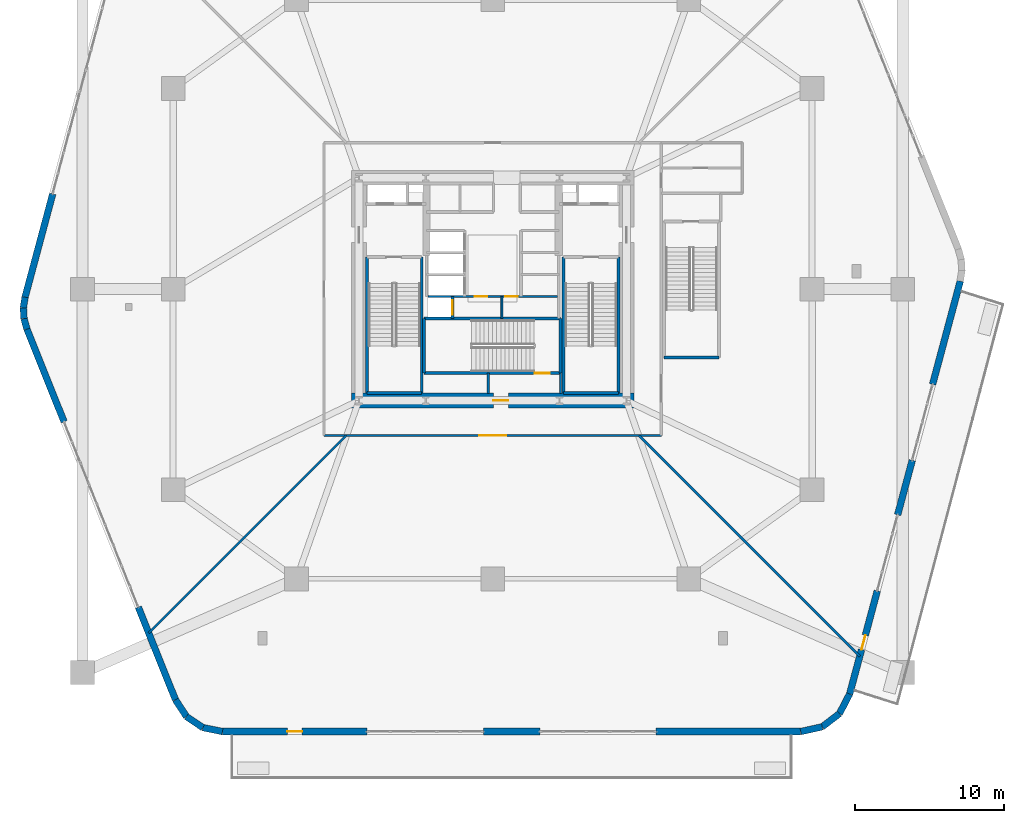
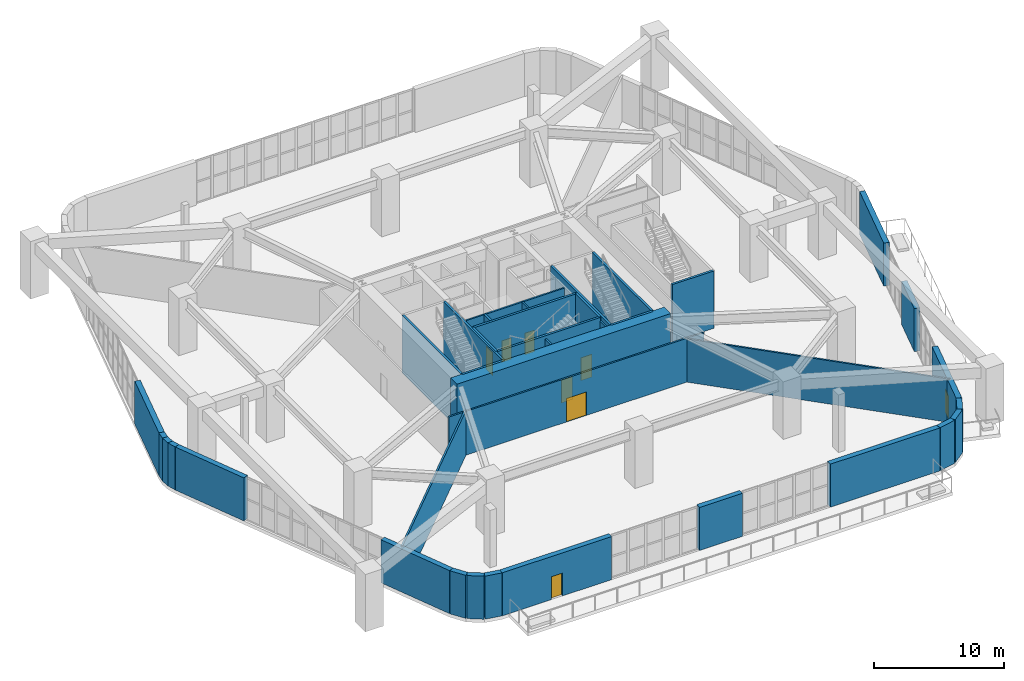
# One storey, part 27 of 34: 38 walls, 8 doors, 8 openings.
"""IFC4 building model written with IfcOpenShell, lengths in metres."""

from ifc_helpers import new_model, si_unit, direction, frame, frame_2d, origin, place, context, subcontext, project, spatial, rectangle, extrude, material, layer, layer_set, type_object, element, fill, save


model = new_model("IFC4")

# Units and contexts
model_context = context("Model", 3, precision=1e-05, world=origin(), true_north=direction((0.0, 1.0)))
body_context = subcontext(model_context, "Body", "Model", "MODEL_VIEW")
ifc_project = project(units=[si_unit("LENGTHUNIT", "METRE"), si_unit("AREAUNIT", "SQUARE_METRE"), si_unit("VOLUMEUNIT", "CUBIC_METRE"), si_unit("PLANEANGLEUNIT", "RADIAN"), si_unit("MASSUNIT", "GRAM", prefix="KILO")], contexts=[model_context])

# Site, building, storey
site_placement = place(None, origin())
site = spatial("IfcSite", under=ifc_project, at=site_placement, CompositionType="ELEMENT")
building_placement = place(site_placement, origin())
building = spatial("IfcBuilding", under=site, at=building_placement, Name="Kilnhurst Terrace Hotel", CompositionType="ELEMENT")
storey_placement = place(building_placement, frame((0.0, 0.0, 6.0)))
storey = spatial("IfcBuildingStorey", under=building, at=storey_placement, Name="L01", CompositionType="ELEMENT", Elevation=6.0)

# Walls
ifc_material_1 = material(Name="Precast concrete C40/50", Category="concrete")
ifc_layer_1 = layer(ifc_material_1, 0.449951171875, Name="Precast concrete C40/50")
ifc_layer_set_1 = layer_set([ifc_layer_1], Name="Precast concrete C40/50")
wall_type_1 = type_object("IfcWallType", Name="WL-BRK-450", PredefinedType="SOLIDWALL", material=ifc_layer_set_1)
wall_1_placement = place(storey_placement, frame((-21.345458984375, -27.634521484375, 0.0), z_axis=(0.0, 0.0, 1.0), x_axis=(0.547463611757, -0.836829489085, 0.0)))
element("IfcWall", 1, at=wall_1_placement, inside=storey, type_object=wall_type_1, Name="L01 Rounded Corner Brick Wall C1.1", PredefinedType="SOLIDWALL", context=body_context, shape_type="SweptSolid", body=[
    extrude(rectangle(XDim=1.350830078125, YDim=0.449951171875, at=frame_2d((0.67529296875, 0.0))), origin(), (0.0, 0.0, 1.0), 4.050048828125),
])
wall_2_placement = place(storey_placement, frame((-20.60595703125, -28.764892578125, 0.0), z_axis=(0.0, 0.0, 1.0), x_axis=(0.82832607687, -0.560246294389, 0.0)))
element("IfcWall", 2, at=wall_2_placement, inside=storey, type_object=wall_type_1, Name="L01 Rounded Corner Brick Wall C1.2", PredefinedType="SOLIDWALL", context=body_context, shape_type="SweptSolid", body=[
    extrude(rectangle(XDim=1.327880859375, YDim=0.449951171875, at=frame_2d((0.6640625, 0.0))), origin(), (0.0, 0.0, 1.0), 4.050048828125),
])
wall_3_placement = place(storey_placement, frame((-19.506103515625, -29.5087890625, 0.0), z_axis=(0.0, 0.0, 1.0), x_axis=(0.98039950709, -0.19701981245, 0.0)))
element("IfcWall", 3, at=wall_3_placement, inside=storey, type_object=wall_type_1, Name="L01 Rounded Corner Brick Wall C1.3", PredefinedType="SOLIDWALL", context=body_context, shape_type="SweptSolid", body=[
    extrude(rectangle(XDim=1.3505859375, YDim=0.449951171875, at=frame_2d((0.67529296875, 0.0))), origin(), (0.0, 0.0, 1.0), 4.050048828125),
])
wall_4_placement = place(storey_placement, frame((20.73291015625, -29.77490234375, 0.0), z_axis=(0.0, 0.0, 1.0), x_axis=(0.976314642779, 0.21635553678, 0.0)))
element("IfcWall", 4, at=wall_4_placement, inside=storey, type_object=wall_type_1, Name="L01 Rounded Corner Brick Wall C2.1", PredefinedType="SOLIDWALL", context=body_context, shape_type="SweptSolid", body=[
    extrude(rectangle(XDim=1.48388671875, YDim=0.449951171875, at=frame_2d((0.741943359375, 0.0))), origin(), (0.0, 0.0, 1.0), 4.050048828125),
])
wall_5_placement = place(storey_placement, frame((22.181640625, -29.453857421875, 0.0), z_axis=(0.0, 0.0, 1.0), x_axis=(0.793363842704, 0.608747741754, 0.0)))
element("IfcWall", 5, at=wall_5_placement, inside=storey, type_object=wall_type_1, Name="L01 Rounded Corner Brick Wall C2.2", PredefinedType="SOLIDWALL", context=body_context, shape_type="SweptSolid", body=[
    extrude(rectangle(XDim=1.458740234375, YDim=0.449951171875, at=frame_2d((0.7294921875, 0.0))), origin(), (0.0, 0.0, 1.0), 4.050048828125),
])
wall_6_placement = place(storey_placement, frame((23.3388671875, -28.56591796875, 0.0), z_axis=(0.0, 0.0, 1.0), x_axis=(0.461699810705, 0.887036236461, 0.0)))
element("IfcWall", 6, at=wall_6_placement, inside=storey, type_object=wall_type_1, Name="L01 Rounded Corner Brick Wall C2.3", PredefinedType="SOLIDWALL", context=body_context, shape_type="SweptSolid", body=[
    extrude(rectangle(XDim=1.48388671875, YDim=0.449951171875, at=frame_2d((0.741943359375, 0.0))), origin(), (0.0, 0.0, 1.0), 4.050048828125),
])
wall_7_placement = place(storey_placement, frame((-31.46923828125, -0.538818359375, 0.0), z_axis=(0.0, 0.0, 1.0), x_axis=(-0.154082468729, -0.988057990621, 0.0)))
element("IfcWall", 7, at=wall_7_placement, inside=storey, type_object=wall_type_1, Name="L01 Rounded Corner Brick Wall C6.1", PredefinedType="SOLIDWALL", context=body_context, shape_type="SweptSolid", body=[
    extrude(rectangle(XDim=0.733642578125, YDim=0.449951171875, at=frame_2d((0.36669921875, 0.0))), origin(), (0.0, 0.0, 1.0), 4.050048828125),
])
wall_8_placement = place(storey_placement, frame((-31.582275390625, -1.263671875, 0.0), z_axis=(0.0, 0.0, 1.0), x_axis=(0.059555119752, -0.998225018576, 0.0)))
element("IfcWall", 8, at=wall_8_placement, inside=storey, type_object=wall_type_1, Name="L01 Rounded Corner Brick Wall C6.2", PredefinedType="SOLIDWALL", context=body_context, shape_type="SweptSolid", body=[
    extrude(rectangle(XDim=0.721435546875, YDim=0.449951171875, at=frame_2d((0.36083984375, 0.0))), origin(), (0.0, 0.0, 1.0), 4.050048828125),
])
wall_9_placement = place(storey_placement, frame((-31.539306640625, -1.98388671875, 0.0), z_axis=(0.0, 0.0, 1.0), x_axis=(0.270543197703, -0.962707836354, 0.0)))
element("IfcWall", 9, at=wall_9_placement, inside=storey, type_object=wall_type_1, Name="L01 Rounded Corner Brick Wall C6.3", PredefinedType="SOLIDWALL", context=body_context, shape_type="SweptSolid", body=[
    extrude(rectangle(XDim=0.733642578125, YDim=0.449951171875, at=frame_2d((0.36669921875, 0.0))), origin(), (0.0, 0.0, 1.0), 4.050048828125),
])

# Wall, opening, door
wall_10_placement = place(storey_placement, frame((-18.181884765625, -29.77490234375, 0.0), z_axis=(0.0, 0.0, 1.0), x_axis=(1.0, 0.0, 0.0)))
wall_10 = element("IfcWall", 10, at=wall_10_placement, inside=storey, type_object=wall_type_1, Name="L01 Face 1 Brick Pier 1", PredefinedType="SOLIDWALL", context=body_context, shape_type="SweptSolid", body=[
    extrude(rectangle(XDim=9.72900390625, YDim=0.449951171875, at=frame_2d((4.864501953125, 0.0))), origin(), (0.0, 0.0, 1.0), 4.050048828125),
])
opening_1_placement = place(wall_10_placement, frame((4.364013671875, 0.0, 0.0)))
opening_1 = element("IfcOpeningElement", 11, at=opening_1_placement, cuts=wall_10, Name="Opening BD-1000", PredefinedType="OPENING", context=body_context, shape_type="SweptSolid", body=[
    extrude(rectangle(XDim=1.0, YDim=2.14990234375, at=frame_2d((0.5, 1.074951171875))), frame((0.0, 0.23486328125, 0.0), z_axis=(0.0, -1.0, 0.0), x_axis=(1.0, 0.0, 0.0)), (0.0, 0.0, 1.0), 0.469970703125),
])
ifc_material_2 = material(Name="Thermally Broken Bronze Aluminium Alloy 6063-T6 and Laminated Glass", Category="aluminium")
door_type_1 = type_object("IfcDoorType", Name="DR-EXT-BAL-1000", OperationType="NOTDEFINED", PredefinedType="DOOR", material=ifc_material_2)
door_1_placement = place(opening_1_placement, origin())
door_1 = element("IfcDoor", 12, at=door_1_placement, inside=storey, type_object=door_type_1, Name="L01 Terrace Access Door TERR-1", OperationType="SINGLE_SWING_LEFT", OverallHeight=2.14990234375, OverallWidth=1.0, PredefinedType="DOOR", context=body_context, shape_type="SweptSolid", body=[
    extrude(rectangle(XDim=1.0, YDim=2.14990234375, at=frame_2d((0.5, 1.074951171875))), frame((0.0, 0.02490234375, 0.0), z_axis=(0.0, -1.0, 0.0), x_axis=(1.0, 0.0, 0.0)), (0.0, 0.0, 1.0), 0.050048828125),
])
fill(opening_1, door_1)

# Walls
wall_11_placement = place(storey_placement, frame((-0.623779296875, -29.77490234375, 0.0), z_axis=(0.0, 0.0, 1.0), x_axis=(1.0, 0.0, 0.0)))
element("IfcWall", 13, at=wall_11_placement, inside=storey, type_object=wall_type_1, Name="L01 Face 1 Brick Pier 2", PredefinedType="SOLIDWALL", context=body_context, shape_type="SweptSolid", body=[
    extrude(rectangle(XDim=3.798828125, YDim=0.449951171875, at=frame_2d((1.8994140625, 0.0))), origin(), (0.0, 0.0, 1.0), 4.050048828125),
])
wall_12_placement = place(storey_placement, frame((11.004150390625, -29.77490234375, 0.0), z_axis=(0.0, 0.0, 1.0), x_axis=(1.0, 0.0, 0.0)))
element("IfcWall", 14, at=wall_12_placement, inside=storey, type_object=wall_type_1, Name="L01 Face 1 End Brick Pier", PredefinedType="SOLIDWALL", context=body_context, shape_type="SweptSolid", body=[
    extrude(rectangle(XDim=9.728759765625, YDim=0.449951171875, at=frame_2d((4.8642578125, 0.0))), origin(), (0.0, 0.0, 1.0), 4.050048828125),
])

# Wall, opening, door
wall_13_placement = place(storey_placement, frame((24.02392578125, -27.249755859375, 0.0), z_axis=(0.0, 0.0, 1.0), x_axis=(0.25880339056, 0.965930020775, 0.0)))
wall_13 = element("IfcWall", 15, at=wall_13_placement, inside=storey, type_object=wall_type_1, Name="L01 Face 2 Brick Pier 1", PredefinedType="SOLIDWALL", context=body_context, shape_type="SweptSolid", body=[
    extrude(rectangle(XDim=7.192138671875, YDim=0.449951171875, at=frame_2d((3.59619140625, 0.0))), origin(), (0.0, 0.0, 1.0), 4.050048828125),
])
opening_2_placement = place(wall_13_placement, frame((3.095947265625, 0.0, 0.0)))
opening_2 = element("IfcOpeningElement", 16, at=opening_2_placement, cuts=wall_13, Name="Opening BD-1000", PredefinedType="OPENING", context=body_context, shape_type="SweptSolid", body=[
    extrude(rectangle(XDim=1.0, YDim=2.14990234375, at=frame_2d((0.5, 1.074951171875))), frame((0.0, 0.23486328125, 0.0), z_axis=(0.0, -1.0, 0.0), x_axis=(1.0, 0.0, 0.0)), (0.0, 0.0, 1.0), 0.469970703125),
])
door_2_placement = place(opening_2_placement, origin())
door_2 = element("IfcDoor", 17, at=door_2_placement, inside=storey, type_object=door_type_1, Name="L01 Terrace Access Door TERR-2", OperationType="SINGLE_SWING_LEFT", OverallHeight=2.14990234375, OverallWidth=1.0, PredefinedType="DOOR", context=body_context, shape_type="SweptSolid", body=[
    extrude(rectangle(XDim=1.0, YDim=2.14990234375, at=frame_2d((0.5, 1.074951171875))), frame((0.0, 0.02490234375, 0.0), z_axis=(0.0, -1.0, 0.0), x_axis=(1.0, 0.0, 0.0)), (0.0, 0.0, 1.0), 0.050048828125),
])
fill(opening_2, door_2)

# Walls
wall_14_placement = place(storey_placement, frame((27.2548828125, -15.19091796875, 0.0), z_axis=(0.0, 0.0, 1.0), x_axis=(0.258798174346, 0.96593141835, 0.0)))
element("IfcWall", 18, at=wall_14_placement, inside=storey, type_object=wall_type_1, Name="L01 Face 2 Brick Pier 2", PredefinedType="SOLIDWALL", context=body_context, shape_type="SweptSolid", body=[
    extrude(rectangle(XDim=3.7998046875, YDim=0.449951171875, at=frame_2d((1.89990234375, 0.0))), origin(), (0.0, 0.0, 1.0), 4.050048828125),
])
for number, where, z_axis, x_axis, name in (
    (19, (29.60791015625, -6.40869140625, 0.0), (0.0, 0.0, 1.0), (0.258786419646, 0.965934567663, 0.0), "L01 Face 2 End Brick Pier"),
    (20, (-29.60791015625, 6.40869140625, 0.0), (0.0, 0.0, 1.0), (-0.258786419646, -0.965934567663, 0.0), "L01 Face 5 End Brick Pier"),
):
    element("IfcWall", number, at=place(storey_placement, frame(where, z_axis=z_axis, x_axis=x_axis)), inside=storey, type_object=wall_type_1, Name=name, PredefinedType="SOLIDWALL", context=body_context, shape_type="SweptSolid", body=[
        extrude(rectangle(XDim=7.192626953125, YDim=0.449951171875, at=frame_2d((3.59619140625, 0.0))), origin(), (0.0, 0.0, 1.0), 4.050048828125),
    ])
wall_15_placement = place(storey_placement, frame((-31.3408203125, -2.690185546875, 0.0), z_axis=(0.0, 0.0, 1.0), x_axis=(0.371948252928, -0.928253466002, 0.0)))
element("IfcWall", 21, at=wall_15_placement, inside=storey, type_object=wall_type_1, Name="L01 Face 6 Brick Pier 1", PredefinedType="SOLIDWALL", context=body_context, shape_type="SweptSolid", body=[
    extrude(rectangle(XDim=6.718017578125, YDim=0.449951171875, at=frame_2d((3.35888671875, 0.0))), origin(), (0.0, 0.0, 1.0), 4.050048828125),
])
wall_16_placement = place(storey_placement, frame((-23.844482421875, -21.398193359375, 0.0), z_axis=(0.0, 0.0, 1.0), x_axis=(0.37196701808, -0.928245946644, 0.0)))
element("IfcWall", 22, at=wall_16_placement, inside=storey, type_object=wall_type_1, Name="L01 Face 6 End Brick Pier", PredefinedType="SOLIDWALL", context=body_context, shape_type="SweptSolid", body=[
    extrude(rectangle(XDim=6.718505859375, YDim=0.449951171875, at=frame_2d((3.359375, 0.0))), origin(), (0.0, 0.0, 1.0), 4.050048828125),
])

# Wall, opening, door
ifc_material_3 = material(Name="Acoustic Double-Gypsum Corridor Partition Assembly")
ifc_layer_2 = layer(ifc_material_3, 0.14990234375, Name="Acoustic Double-Gypsum Corridor Partition Assembly")
ifc_layer_set_2 = layer_set([ifc_layer_2], Name="Acoustic Double-Gypsum Corridor Partition Assembly")
wall_type_2 = type_object("IfcWallType", Name="WL-COR-150", PredefinedType="PARTITIONING", material=ifc_layer_set_2)
wall_17_placement = place(storey_placement, frame((11.35009765625, -9.85009765625, 0.0), z_axis=(0.0, 0.0, 1.0), x_axis=(-1.0, 0.0, 0.0)))
wall_17 = element("IfcWall", 23, at=wall_17_placement, inside=storey, type_object=wall_type_2, Name="L01 Interior Wall WL-L01-COR-04", PredefinedType="PARTITIONING", context=body_context, shape_type="SweptSolid", body=[
    extrude(rectangle(XDim=22.7001953125, YDim=0.14990234375, at=frame_2d((11.35009765625, 0.0))), origin(), (0.0, 0.0, 1.0), 4.121826171875),
])
opening_3_placement = place(wall_17_placement, frame((10.449951171875, 0.0, 0.0)))
opening_3 = element("IfcOpeningElement", 24, at=opening_3_placement, cuts=wall_17, Name="Opening D-18A", PredefinedType="OPENING", context=body_context, shape_type="SweptSolid", body=[
    extrude(rectangle(XDim=1.800048828125, YDim=2.199951171875, at=frame_2d((0.89990234375, 1.10009765625))), frame((0.0, 0.0849609375, 0.0), z_axis=(0.0, -1.0, 0.0), x_axis=(1.0, 0.0, 0.0)), (0.0, 0.0, 1.0), 0.169921875),
])
ifc_material_4 = material(Name="Bronze-Framed Acoustic Glazed Double Hospitality Door")
door_type_2 = type_object("IfcDoorType", Name="DR-INT-1800", OperationType="NOTDEFINED", PredefinedType="DOOR", material=ifc_material_4)
door_3_placement = place(opening_3_placement, origin())
door_3 = element("IfcDoor", 25, at=door_3_placement, inside=storey, type_object=door_type_2, Name="L01 All Day Brasserie Dining Hall Door", OperationType="DOUBLE_SWING_LEFT", OverallHeight=2.199951171875, OverallWidth=1.800048828125, PredefinedType="DOOR", context=body_context, shape_type="SweptSolid", body=[
    extrude(rectangle(XDim=1.800048828125, YDim=2.199951171875, at=frame_2d((0.89990234375, 1.10009765625))), frame((0.0, 0.02490234375, 0.0), z_axis=(0.0, -1.0, 0.0), x_axis=(1.0, 0.0, 0.0)), (0.0, 0.0, 1.0), 0.050048828125),
])
fill(opening_3, door_3)

ifc_material_5 = material(Name="Concrete C80/95", Category="concrete")
ifc_layer_3 = layer(ifc_material_5, 1.0, Name="Concrete C80/95")
ifc_layer_set_3 = layer_set([ifc_layer_3], Name="Concrete C80/95")
wall_type_3 = type_object("IfcWallType", Name="WL-CORE-1000", PredefinedType="SHEAR", material=ifc_layer_set_3)
wall_18_placement = place(storey_placement, frame((-9.5, -7.5, 0.0), z_axis=(0.0, 0.0, 1.0), x_axis=(1.0, 0.0, 0.0)))
wall_18 = element("IfcWall", 26, at=wall_18_placement, inside=storey, type_object=wall_type_3, Name="L01 Core South Shear Wall", PredefinedType="SHEAR", context=body_context, shape_type="SweptSolid", body=[
    extrude(rectangle(XDim=19.0, YDim=1.0, at=frame_2d((9.5, 0.0))), origin(), (0.0, 0.0, 1.0), 5.39990234375),
])
opening_4_placement = place(wall_18_placement, frame((9.550048828125, 0.0, 0.0)))
opening_4 = element("IfcOpeningElement", 27, at=opening_4_placement, cuts=wall_18, Name="Opening D-90B", PredefinedType="OPENING", context=body_context, shape_type="SweptSolid", body=[
    extrude(rectangle(XDim=1.0, YDim=2.14990234375, at=frame_2d((0.5, 1.074951171875))), frame((0.0, 0.510009765625, 0.0), z_axis=(0.0, -1.0, 0.0), x_axis=(1.0, 0.0, 0.0)), (0.0, 0.0, 1.0), 1.02001953125),
])
ifc_material_6 = material(Name="Painted Hollow Metal Steel ASTM A36 Fire Door", Category="steel")
door_type_3 = type_object("IfcDoorType", Name="DR-FD90-1000", OperationType="NOTDEFINED", PredefinedType="DOOR", material=ifc_material_6)
door_4_placement = place(opening_4_placement, origin())
door_4 = element("IfcDoor", 28, at=door_4_placement, inside=storey, type_object=door_type_3, Name="L01 Stair ST-3 Corridor Door", OperationType="SINGLE_SWING_RIGHT", OverallHeight=2.14990234375, OverallWidth=1.0, PredefinedType="DOOR", context=body_context, shape_type="SweptSolid", body=[
    extrude(rectangle(XDim=1.0, YDim=2.14990234375, at=frame_2d((0.5, 1.074951171875))), frame((0.0, 0.02490234375, 0.0), z_axis=(0.0, -1.0, 0.0), x_axis=(1.0, 0.0, 0.0)), (0.0, 0.0, 1.0), 0.050048828125),
])
fill(opening_4, door_4)

# Walls
ifc_material_7 = material(Name="120 mm Moisture-Resistant Tile-Backed Bathroom Partition")
ifc_layer_4 = layer(ifc_material_7, 0.1201171875, Name="120 mm Moisture-Resistant Tile-Backed Bathroom Partition")
ifc_layer_set_4 = layer_set([ifc_layer_4], Name="120 mm Moisture-Resistant Tile-Backed Bathroom Partition")
wall_type_4 = type_object("IfcWallType", Name="WL-PART-120", PredefinedType="PARTITIONING", material=ifc_layer_set_4)
wall_19_placement = place(storey_placement, frame((0.6201171875, -1.971923828125, 0.0), z_axis=(0.0, 0.0, 1.0), x_axis=(0.0, 1.0, 0.0)))
element("IfcWall", 29, at=wall_19_placement, inside=storey, type_object=wall_type_4, Name="L01 Interior Wall WL-L01-BOH-C1", PredefinedType="PARTITIONING", context=body_context, shape_type="SweptSolid", body=[
    extrude(rectangle(XDim=1.471923828125, YDim=0.1201171875, at=frame_2d((0.73583984375, 0.0))), origin(), (0.0, 0.0, 1.0), 5.080078125),
])
ifc_material_8 = material(Name="150 mm Acoustic Gypsum Hospitality Partition")
ifc_layer_5 = layer(ifc_material_8, 0.14990234375, Name="150 mm Acoustic Gypsum Hospitality Partition")
ifc_layer_set_5 = layer_set([ifc_layer_5], Name="150 mm Acoustic Gypsum Hospitality Partition")
wall_type_5 = type_object("IfcWallType", Name="WL-PART-150", PredefinedType="PARTITIONING", material=ifc_layer_set_5)
wall_20_placement = place(storey_placement, frame((-9.85009765625, -9.85009765625, 0.0), z_axis=(0.0, 0.0, 1.0), x_axis=(-0.707106781187, -0.707106781187, 0.0)))
element("IfcWall", 30, at=wall_20_placement, inside=storey, type_object=wall_type_5, Name="L01 Interior Wall WL-L01-PDIV-1-1", PredefinedType="PARTITIONING", context=body_context, shape_type="SweptSolid", body=[
    extrude(rectangle(XDim=18.80126953125, YDim=0.14990234375, at=frame_2d((9.400634765625, 0.0))), origin(), (0.0, 0.0, 1.0), 4.214111328125),
])
wall_21_placement = place(storey_placement, frame((9.85009765625, -9.85009765625, 0.0), z_axis=(0.0, 0.0, 1.0), x_axis=(0.707106781187, -0.707106781187, 0.0)))
element("IfcWall", 31, at=wall_21_placement, inside=storey, type_object=wall_type_5, Name="L01 Interior Wall WL-L01-PDIV-2-1", PredefinedType="PARTITIONING", context=body_context, shape_type="SweptSolid", body=[
    extrude(rectangle(XDim=21.0087890625, YDim=0.14990234375, at=frame_2d((10.50439453125, 0.0))), origin(), (0.0, 0.0, 1.0), 4.070068359375),
])
ifc_material_9 = material(Name="Fire-Rated Gypsum Shaftliner Assembly")
ifc_layer_6 = layer(ifc_material_9, 0.14990234375, Name="Fire-Rated Gypsum Shaftliner Assembly")
ifc_layer_set_6 = layer_set([ifc_layer_6], Name="Fire-Rated Gypsum Shaftliner Assembly")
wall_type_6 = type_object("IfcWallType", Name="WL-SHAFT-150", PredefinedType="PARTITIONING", material=ifc_layer_set_6)
for number, where, z_axis, x_axis, name in (
    (32, (-0.300048828125, -7.02001953125, 0.0), (0.0, 0.0, 1.0), (0.0, 1.0, 0.0), "L01 Interior Wall WL-L01-ST3-PSGW"),
    (33, (4.55810546875, -7.02001953125, 0.0), (0.0, 0.0, 1.0), (0.0, 1.0, 0.0), "L01 Interior Wall WL-L01-ST3-PSGE"),
):
    element("IfcWall", number, at=place(storey_placement, frame(where, z_axis=z_axis, x_axis=x_axis)), inside=storey, type_object=wall_type_6, Name=name, PredefinedType="PARTITIONING", context=body_context, shape_type="SweptSolid", body=[
        extrude(rectangle(XDim=1.362060546875, YDim=0.14990234375, at=frame_2d((0.68115234375, 0.0))), origin(), (0.0, 0.0, 1.0), 5.080078125),
    ])

# Wall, openings, doors
wall_22_placement = place(storey_placement, frame((-4.360107421875, -0.489990234375, 0.0), z_axis=(0.0, 0.0, 1.0), x_axis=(1.0, 0.0, 0.0)))
wall_22 = element("IfcWall", 34, at=wall_22_placement, inside=storey, type_object=wall_type_6, Name="L01 Interior Wall WL-L01-BOH-N", PredefinedType="PARTITIONING", context=body_context, shape_type="SweptSolid", body=[
    extrude(rectangle(XDim=8.72021484375, YDim=0.14990234375, at=frame_2d((4.360107421875, 0.0))), origin(), (0.0, 0.0, 1.0), 5.080078125),
])
opening_5_placement = place(wall_22_placement, frame((3.159912109375, 0.0, 0.0)))
opening_5 = element("IfcOpeningElement", 35, at=opening_5_placement, cuts=wall_22, Name="Opening D-60D", PredefinedType="OPENING", context=body_context, shape_type="SweptSolid", body=[
    extrude(rectangle(XDim=0.85009765625, YDim=2.030029296875, at=frame_2d((0.425048828125, 1.01513671875))), frame((0.0, 0.0849609375, 0.0), z_axis=(0.0, -1.0, 0.0), x_axis=(1.0, 0.0, 0.0)), (0.0, 0.0, 1.0), 0.169921875),
])
opening_6_placement = place(wall_22_placement, frame((5.2099609375, 0.0, 0.0)))
opening_6 = element("IfcOpeningElement", 36, at=opening_6_placement, cuts=wall_22, Name="Opening D-60D", PredefinedType="OPENING", context=body_context, shape_type="SweptSolid", body=[
    extrude(rectangle(XDim=0.85009765625, YDim=2.030029296875, at=frame_2d((0.425048828125, 1.01513671875))), frame((0.0, 0.0849609375, 0.0), z_axis=(0.0, -1.0, 0.0), x_axis=(1.0, 0.0, 0.0)), (0.0, 0.0, 1.0), 0.169921875),
])
ifc_material_10 = material(Name="Painted Hollow Metal Steel ASTM A36 Riser Door", Category="steel")
door_type_4 = type_object("IfcDoorType", Name="DR-FD60-850", OperationType="NOTDEFINED", PredefinedType="DOOR", material=ifc_material_10)
door_5_placement = place(opening_5_placement, origin())
door_5 = element("IfcDoor", 37, at=door_5_placement, inside=storey, type_object=door_type_4, Name="L01 Housekeeping Laundry Door", OperationType="SINGLE_SWING_LEFT", OverallHeight=2.030029296875, OverallWidth=0.85009765625, PredefinedType="DOOR", context=body_context, shape_type="SweptSolid", body=[
    extrude(rectangle(XDim=0.85009765625, YDim=2.030029296875, at=frame_2d((0.425048828125, 1.01513671875))), frame((0.0, 0.02490234375, 0.0), z_axis=(0.0, -1.0, 0.0), x_axis=(1.0, 0.0, 0.0)), (0.0, 0.0, 1.0), 0.050048828125),
])
fill(opening_5, door_5)
door_6_placement = place(opening_6_placement, origin())
door_6 = element("IfcDoor", 38, at=door_6_placement, inside=storey, type_object=door_type_4, Name="L01 Room Service Kitchen Door", OperationType="SINGLE_SWING_RIGHT", OverallHeight=2.030029296875, OverallWidth=0.85009765625, PredefinedType="DOOR", context=body_context, shape_type="SweptSolid", body=[
    extrude(rectangle(XDim=0.85009765625, YDim=2.030029296875, at=frame_2d((0.425048828125, 1.01513671875))), frame((0.0, 0.02490234375, 0.0), z_axis=(0.0, -1.0, 0.0), x_axis=(1.0, 0.0, 0.0)), (0.0, 0.0, 1.0), 0.050048828125),
])
fill(opening_6, door_6)

# Wall, opening, door
ifc_material_11 = material(Name="Autoclaved Aerated Concrete C30/37 and Gypsum Shaft Assembly", Category="concrete")
ifc_layer_7 = layer(ifc_material_11, 0.199951171875, Name="Autoclaved Aerated Concrete C30/37 and Gypsum Shaft Assembly")
ifc_layer_set_7 = layer_set([ifc_layer_7], Name="Autoclaved Aerated Concrete C30/37 and Gypsum Shaft Assembly")
wall_type_7 = type_object("IfcWallType", Name="WL-SHAFT-200", PredefinedType="PARTITIONING", material=ifc_layer_set_7)
wall_23_placement = place(storey_placement, frame((-2.699951171875, -1.971923828125, 0.0), z_axis=(0.0, 0.0, 1.0), x_axis=(0.0, 1.0, 0.0)))
wall_23 = element("IfcWall", 39, at=wall_23_placement, inside=storey, type_object=wall_type_7, Name="L01 Interior Wall WL-L01-SRV1-E", PredefinedType="PARTITIONING", context=body_context, shape_type="SweptSolid", body=[
    extrude(rectangle(XDim=1.471923828125, YDim=0.199951171875, at=frame_2d((0.73583984375, 0.0))), origin(), (0.0, 0.0, 1.0), 5.080078125),
])
opening_7_placement = place(wall_23_placement, frame((0.239990234375, 0.0, 0.0)))
opening_7 = element("IfcOpeningElement", 40, at=opening_7_placement, cuts=wall_23, Name="Opening LD-SV", PredefinedType="OPENING", context=body_context, shape_type="SweptSolid", body=[
    extrude(rectangle(XDim=1.0, YDim=2.199951171875, at=frame_2d((0.5, 1.10009765625))), frame((0.0, 0.10986328125, 0.0), z_axis=(0.0, -1.0, 0.0), x_axis=(1.0, 0.0, 0.0)), (0.0, 0.0, 1.0), 0.219970703125),
])
ifc_material_12 = material(Name="Bronze-Anodized Stainless Steel AISI 316L Sliding Door", Category="steel")
door_type_5 = type_object("IfcDoorType", Name="DR-LIFT-1000", OperationType="NOTDEFINED", PredefinedType="DOOR", material=ifc_material_12)
door_7_placement = place(opening_7_placement, origin())
door_7 = element("IfcDoor", 41, at=door_7_placement, inside=storey, type_object=door_type_5, Name="L01 Service Lift SRV-1 Landing Door", OperationType="SLIDING_TO_LEFT", OverallHeight=2.199951171875, OverallWidth=1.0, PredefinedType="DOOR", context=body_context, shape_type="SweptSolid", body=[
    extrude(rectangle(XDim=1.0, YDim=2.199951171875, at=frame_2d((0.5, 1.10009765625))), frame((0.0, 0.02490234375, 0.0), z_axis=(0.0, -1.0, 0.0), x_axis=(1.0, 0.0, 0.0)), (0.0, 0.0, 1.0), 0.050048828125),
])
fill(opening_7, door_7)

# Walls
ifc_material_13 = material(Name="Concrete C50/60", Category="concrete")
ifc_layer_8 = layer(ifc_material_13, 0.199951171875, Name="Concrete C50/60")
ifc_layer_set_8 = layer_set([ifc_layer_8], Name="Concrete C50/60")
wall_type_8 = type_object("IfcWallType", Name="WL-STAIR-RC-200", PredefinedType="SHEAR", material=ifc_layer_set_8)
for number, where, z_axis, x_axis, name in (
    (42, (-8.4580078125, -6.985107421875, 0.0), (0.0, 0.0, 1.0), (0.0, 1.0, 0.0), "L01 Structural Stair Shaft Wall WL-L01-ST1-W"),
    (43, (-4.77197265625, -6.985107421875, 0.0), (0.0, 0.0, 1.0), (0.0, 1.0, 0.0), "L01 Structural Stair Shaft Wall WL-L01-ST1-E"),
):
    element("IfcWall", number, at=place(storey_placement, frame(where, z_axis=z_axis, x_axis=x_axis)), inside=storey, type_object=wall_type_8, Name=name, PredefinedType="SHEAR", context=body_context, shape_type="SweptSolid", body=[
        extrude(rectangle(XDim=9.14306640625, YDim=0.199951171875, at=frame_2d((4.571533203125, 0.0))), origin(), (0.0, 0.0, 1.0), 5.39990234375),
    ])
wall_24_placement = place(storey_placement, frame((-8.4580078125, -6.985107421875, 0.0), z_axis=(0.0, 0.0, 1.0), x_axis=(1.0, 0.0, 0.0)))
element("IfcWall", 44, at=wall_24_placement, inside=storey, type_object=wall_type_8, Name="L01 Structural Stair Shaft Wall WL-L01-ST1-S", PredefinedType="SHEAR", context=body_context, shape_type="SweptSolid", body=[
    extrude(rectangle(XDim=3.68603515625, YDim=0.199951171875, at=frame_2d((1.843017578125, 0.0))), origin(), (0.0, 0.0, 1.0), 5.39990234375),
])
for number, where, z_axis, x_axis, name in (
    (45, (4.77197265625, -6.985107421875, 0.0), (0.0, 0.0, 1.0), (0.0, 1.0, 0.0), "L01 Structural Stair Shaft Wall WL-L01-ST2-W"),
    (46, (8.4580078125, -6.985107421875, 0.0), (0.0, 0.0, 1.0), (0.0, 1.0, 0.0), "L01 Structural Stair Shaft Wall WL-L01-ST2-E"),
):
    element("IfcWall", number, at=place(storey_placement, frame(where, z_axis=z_axis, x_axis=x_axis)), inside=storey, type_object=wall_type_8, Name=name, PredefinedType="SHEAR", context=body_context, shape_type="SweptSolid", body=[
        extrude(rectangle(XDim=9.14306640625, YDim=0.199951171875, at=frame_2d((4.571533203125, 0.0))), origin(), (0.0, 0.0, 1.0), 5.39990234375),
    ])
for number, where, z_axis, x_axis, name in (
    (47, (4.77197265625, -6.985107421875, 0.0), (0.0, 0.0, 1.0), (1.0, 0.0, 0.0), "L01 Structural Stair Shaft Wall WL-L01-ST2-S"),
    (48, (-4.60791015625, -5.657958984375, 0.0), (0.0, 0.0, 1.0), (0.0, 1.0, 0.0), "L01 Structural Stair Shaft Wall WL-L01-ST3-W"),
):
    element("IfcWall", number, at=place(storey_placement, frame(where, z_axis=z_axis, x_axis=x_axis)), inside=storey, type_object=wall_type_8, Name=name, PredefinedType="SHEAR", context=body_context, shape_type="SweptSolid", body=[
        extrude(rectangle(XDim=3.68603515625, YDim=0.199951171875, at=frame_2d((1.843017578125, 0.0))), origin(), (0.0, 0.0, 1.0), 5.39990234375),
    ])

# Wall, opening, door
wall_25_placement = place(storey_placement, frame((-4.60791015625, -5.657958984375, 0.0), z_axis=(0.0, 0.0, 1.0), x_axis=(1.0, 0.0, 0.0)))
wall_25 = element("IfcWall", 49, at=wall_25_placement, inside=storey, type_object=wall_type_8, Name="L01 Structural Stair Shaft Wall WL-L01-ST3-S", PredefinedType="SHEAR", context=body_context, shape_type="SweptSolid", body=[
    extrude(rectangle(XDim=9.166015625, YDim=0.199951171875, at=frame_2d((4.5830078125, 0.0))), origin(), (0.0, 0.0, 1.0), 5.39990234375),
])
opening_8_placement = place(wall_25_placement, frame((7.449951171875, 0.0, 0.0)))
opening_8 = element("IfcOpeningElement", 50, at=opening_8_placement, cuts=wall_25, Name="Opening D-90B", PredefinedType="OPENING", context=body_context, shape_type="SweptSolid", body=[
    extrude(rectangle(XDim=1.0, YDim=2.14990234375, at=frame_2d((0.5, 1.074951171875))), frame((0.0, 0.10986328125, 0.0), z_axis=(0.0, -1.0, 0.0), x_axis=(1.0, 0.0, 0.0)), (0.0, 0.0, 1.0), 0.219970703125),
])
door_8_placement = place(opening_8_placement, origin())
door_8 = element("IfcDoor", 51, at=door_8_placement, inside=storey, type_object=door_type_3, Name="L01 Stair ST-3 Shaft Door", OperationType="SINGLE_SWING_LEFT", OverallHeight=2.14990234375, OverallWidth=1.0, PredefinedType="DOOR", context=body_context, shape_type="SweptSolid", body=[
    extrude(rectangle(XDim=1.0, YDim=2.14990234375, at=frame_2d((0.5, 1.074951171875))), frame((0.0, 0.02490234375, 0.0), z_axis=(0.0, -1.0, 0.0), x_axis=(1.0, 0.0, 0.0)), (0.0, 0.0, 1.0), 0.050048828125),
])
fill(opening_8, door_8)

# Walls
wall_26_placement = place(storey_placement, frame((-4.60791015625, -1.971923828125, 0.0), z_axis=(0.0, 0.0, 1.0), x_axis=(1.0, 0.0, 0.0)))
element("IfcWall", 52, at=wall_26_placement, inside=storey, type_object=wall_type_8, Name="L01 Structural Stair Shaft Wall WL-L01-ST3-N", PredefinedType="SHEAR", context=body_context, shape_type="SweptSolid", body=[
    extrude(rectangle(XDim=9.166015625, YDim=0.199951171875, at=frame_2d((4.5830078125, 0.0))), origin(), (0.0, 0.0, 1.0), 5.39990234375),
])
for number, where, z_axis, x_axis, name in (
    (53, (4.55810546875, -5.657958984375, 0.0), (0.0, 0.0, 1.0), (0.0, 1.0, 0.0), "L01 Structural Stair Shaft Wall WL-L01-ST3-E"),
    (54, (11.5419921875, -4.60791015625, 0.0), (0.0, 0.0, 1.0), (1.0, 0.0, 0.0), "L01 Podium Stair ST-4 Structural Shaft Wall WL-L01-ST4-S"),
):
    element("IfcWall", number, at=place(storey_placement, frame(where, z_axis=z_axis, x_axis=x_axis)), inside=storey, type_object=wall_type_8, Name=name, PredefinedType="SHEAR", context=body_context, shape_type="SweptSolid", body=[
        extrude(rectangle(XDim=3.68603515625, YDim=0.199951171875, at=frame_2d((1.843017578125, 0.0))), origin(), (0.0, 0.0, 1.0), 5.39990234375),
    ])

save(model, "model.ifc")
